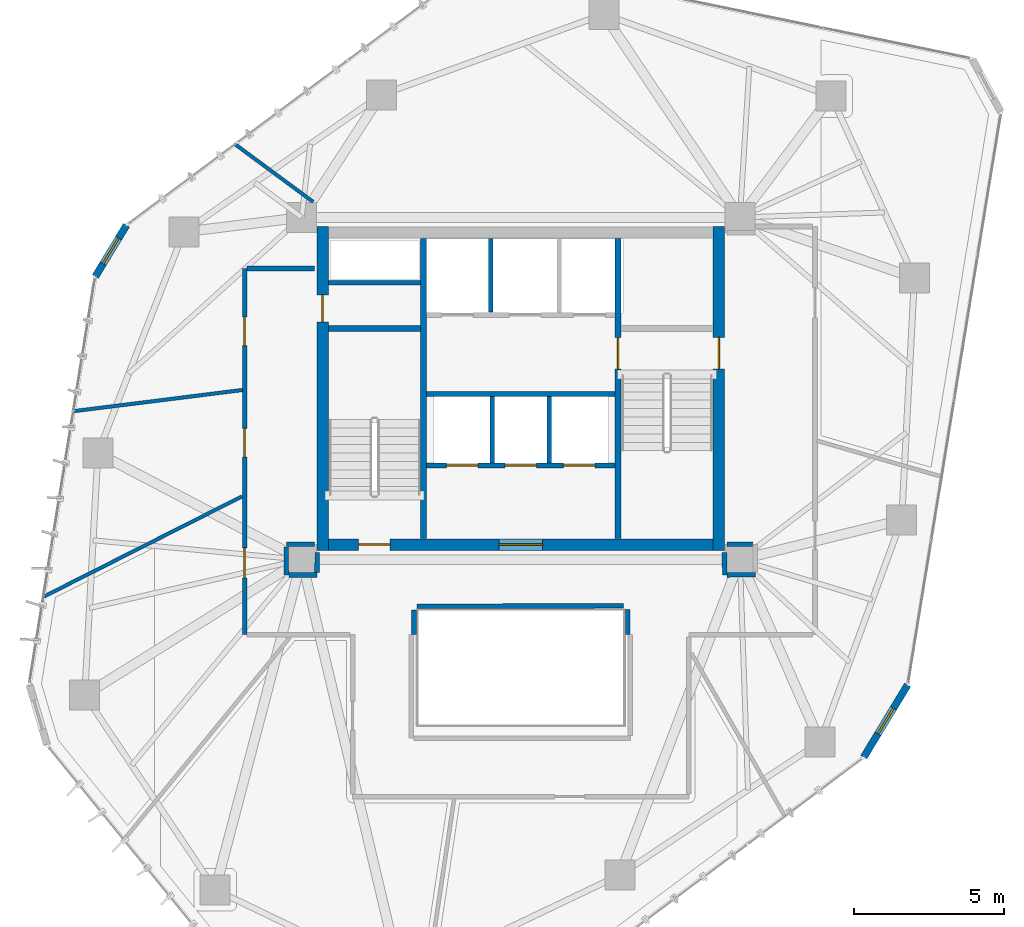
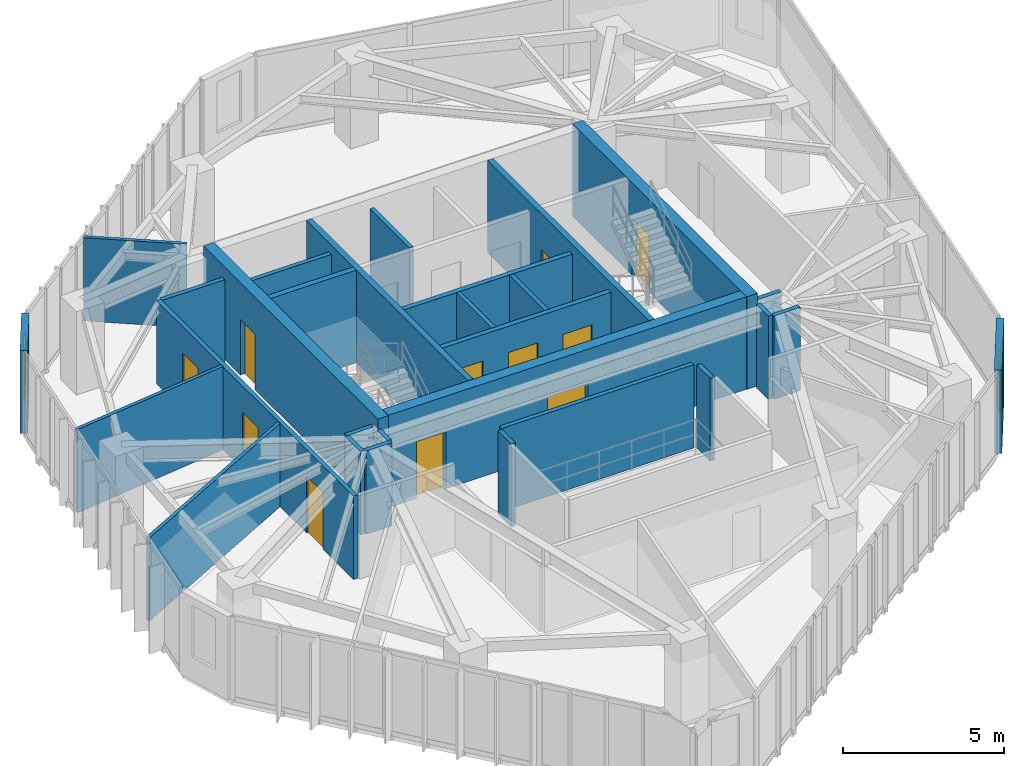
# One storey, part 17 of 20: 29 walls, 11 doors, 2 windows, 13 openings.
"""IFC4 building model written with IfcOpenShell, lengths in metres."""

from ifc_helpers import new_model, si_unit, direction, frame, frame_2d, origin, place, context, subcontext, project, spatial, rectangle, extrude, source, transform, mapped, material, layer, layer_set, type_object, type_shapes, element, fill, save


model = new_model("IFC4")

# Units and contexts
model_context = context("Model", 3, precision=1e-05, world=origin(), true_north=direction((0.0, 1.0)))
body_context = subcontext(model_context, "Body", "Model", "MODEL_VIEW")
ifc_project = project(units=[si_unit("LENGTHUNIT", "METRE"), si_unit("AREAUNIT", "SQUARE_METRE"), si_unit("VOLUMEUNIT", "CUBIC_METRE"), si_unit("PLANEANGLEUNIT", "RADIAN"), si_unit("MASSUNIT", "GRAM", prefix="KILO")], contexts=[model_context])

# Site, building, storey
site_placement = place(None, origin())
site = spatial("IfcSite", under=ifc_project, at=site_placement, CompositionType="ELEMENT")
building_placement = place(site_placement, origin())
building = spatial("IfcBuilding", under=site, at=building_placement, Name="Talar Marvaseh", CompositionType="ELEMENT")
storey_placement = place(building_placement, frame((0.0, 0.0, 198.5)))
storey = spatial("IfcBuildingStorey", under=building, at=storey_placement, Name="L52", CompositionType="ELEMENT", Elevation=198.5)

# Wall, opening, window
ifc_material_1 = material(Name="Precast concrete C45/55", Category="concrete")
ifc_layer_1 = layer(ifc_material_1, 0.239990234375)
ifc_layer_set_1 = layer_set([ifc_layer_1], Name="Precast concrete C45/55")
wall_type_1 = type_object("IfcWallType", Name="Chamfered Hexagonal Corner Pier Wall Z3 240", PredefinedType="SOLIDWALL", material=ifc_layer_set_1)
wall_1_placement = place(storey_placement, frame((11.822998046875, 34.93115234375, 0.0), z_axis=(0.0, 0.0, 1.0), x_axis=(0.518790493294, 0.8549014119, 0.0)))
wall_1 = element("IfcWall", 1, at=wall_1_placement, inside=storey, type_object=wall_type_1, Name="L52 Chamfered Corner Limestone Pier 3", PredefinedType="SOLIDWALL", context=body_context, shape_type="SweptSolid", body=[
    extrude(rectangle(XDim=2.00341796875, YDim=0.239990234375, at=frame_2d((1.001708984375, 0.0))), origin(), (0.0, 0.0, 1.0), 3.14990234375),
])
opening_1_placement = place(wall_1_placement, frame((0.501953125, 0.0, 0.89990234375)))
opening_1 = element("IfcOpeningElement", 2, at=opening_1_placement, cuts=wall_1, Name="Opening WN-CHM10", PredefinedType="OPENING", context=body_context, shape_type="SweptSolid", body=[
    extrude(rectangle(XDim=1.0, YDim=1.949951171875, at=frame_2d((0.5, 0.97509765625))), frame((0.0, 0.1298828125, 0.0), z_axis=(0.0, -1.0, 0.0), x_axis=(1.0, 0.0, 0.0)), (0.0, 0.0, 1.0), 0.260009765625),
])
ifc_material_2 = material(Name="Laminated Low-E Solar Glass", Category="glass")
window_type = type_object("IfcWindowType", Name="Zone 3 Chamfered Corner Slot Window 1000x1950", PartitioningType="SINGLE_PANEL", PredefinedType="WINDOW", material=ifc_material_2)
shared_shape_1 = source(origin(), body_context, "Body", "SweptSolid", [
    extrude(rectangle(XDim=1.0, YDim=1.949951171875, at=frame_2d((0.5, 0.97509765625))), frame((0.0, 0.030029296875, 0.0), z_axis=(0.0, -1.0, 0.0), x_axis=(1.0, 0.0, 0.0)), (0.0, 0.0, 1.0), 0.06005859375),
])
type_shapes(window_type, [shared_shape_1])
window_1_placement = place(opening_1_placement, origin())
window_1 = element("IfcWindow", 3, at=window_1_placement, inside=storey, type_object=window_type, Name="L52 Chamfered Corner Slot Window", OverallHeight=1.949951171875, OverallWidth=1.0, PartitioningType="SINGLE_PANEL", PredefinedType="WINDOW", context=body_context, shape_type="MappedRepresentation", body=[
    mapped(shared_shape_1, transform((0.0, 0.0, 0.0), x_axis=(1.0, 0.0, 0.0), y_axis=(0.0, 1.0, 0.0), z_axis=(0.0, 0.0, 1.0), scale=1.0)),
])
fill(opening_1, window_1)

wall_2_placement = place(storey_placement, frame((38.887451171875, 21.326171875, 0.0), z_axis=(0.0, 0.0, 1.0), x_axis=(-0.518774446732, -0.854911149429, 0.0)))
wall_2 = element("IfcWall", 4, at=wall_2_placement, inside=storey, type_object=wall_type_1, Name="L52 Chamfered Corner Limestone Pier 6", PredefinedType="SOLIDWALL", context=body_context, shape_type="SweptSolid", body=[
    extrude(rectangle(XDim=2.815185546875, YDim=0.239990234375, at=frame_2d((1.40771484375, 0.0))), origin(), (0.0, 0.0, 1.0), 3.14990234375),
])
opening_2_placement = place(wall_2_placement, frame((0.907958984375, 0.0, 0.89990234375)))
opening_2 = element("IfcOpeningElement", 5, at=opening_2_placement, cuts=wall_2, Name="Opening WN-CHM10", PredefinedType="OPENING", context=body_context, shape_type="SweptSolid", body=[
    extrude(rectangle(XDim=1.0, YDim=1.949951171875, at=frame_2d((0.5, 0.97509765625))), frame((0.0, 0.1298828125, 0.0), z_axis=(0.0, -1.0, 0.0), x_axis=(1.0, 0.0, 0.0)), (0.0, 0.0, 1.0), 0.260009765625),
])
window_2_placement = place(opening_2_placement, origin())
window_2 = element("IfcWindow", 6, at=window_2_placement, inside=storey, type_object=window_type, Name="L52 Chamfered Corner Slot Window", OverallHeight=1.949951171875, OverallWidth=1.0, PartitioningType="SINGLE_PANEL", PredefinedType="WINDOW", context=body_context, shape_type="MappedRepresentation", body=[
    mapped(shared_shape_1, transform((0.0, 0.0, 0.0), x_axis=(1.0, 0.0, 0.0), y_axis=(0.0, 1.0, 0.0), z_axis=(0.0, 0.0, 1.0), scale=1.0)),
])
fill(opening_2, window_2)

# Wall
ifc_material_3 = material(Name="Gypsum Board Partition Assembly")
ifc_layer_2 = layer(ifc_material_3, 0.155029296875)
ifc_layer_set_2 = layer_set([ifc_layer_2], Name="Gypsum Board Partition Assembly")
wall_type_2 = type_object("IfcWallType", Name="Corridor Fire-Rated Acoustic Partition 155", PredefinedType="PARTITIONING", material=ifc_layer_set_2)
wall_3_placement = place(storey_placement, frame((19.60009765625, 34.72998046875, 0.0), z_axis=(0.0, 0.0, 1.0), x_axis=(1.0, 0.0, 0.0)))
element("IfcWall", 7, at=wall_3_placement, inside=storey, type_object=wall_type_2, Name="L52 Core BOH Partition", PredefinedType="PARTITIONING", context=body_context, shape_type="SweptSolid", body=[
    extrude(rectangle(XDim=3.059814453125, YDim=0.155029296875, at=frame_2d((1.52978515625, 0.0))), origin(), (0.0, 0.0, 1.0), 3.14990234375),
])

# Wall, openings, doors
wall_4_placement = place(storey_placement, frame((16.800048828125, 23.0, 0.0), z_axis=(0.0, 0.0, 1.0), x_axis=(0.0, 1.0, 0.0)))
wall_4 = element("IfcWall", 8, at=wall_4_placement, inside=storey, type_object=wall_type_2, Name="L52 Interior Partition Wall", PredefinedType="PARTITIONING", context=body_context, shape_type="SweptSolid", body=[
    extrude(rectangle(XDim=12.199951171875, YDim=0.155029296875, at=frame_2d((6.10009765625, 0.0))), origin(), (0.0, 0.0, 1.0), 3.14990234375),
])
opening_3_placement = place(wall_4_placement, frame((1.8955078125, 0.0, 0.0)))
opening_3 = element("IfcOpeningElement", 9, at=opening_3_placement, cuts=wall_4, Name="Opening DR-RM100", PredefinedType="OPENING", context=body_context, shape_type="SweptSolid", body=[
    extrude(rectangle(XDim=1.0, YDim=2.14990234375, at=frame_2d((0.5, 1.074951171875))), frame((0.0, 0.08740234375, 0.0), z_axis=(0.0, -1.0, 0.0), x_axis=(1.0, 0.0, 0.0)), (0.0, 0.0, 1.0), 0.175048828125),
])
opening_4_placement = place(wall_4_placement, frame((9.632080078125, 0.0, 0.0)))
opening_4 = element("IfcOpeningElement", 10, at=opening_4_placement, cuts=wall_4, Name="Opening DR-WC095", PredefinedType="OPENING", context=body_context, shape_type="SweptSolid", body=[
    extrude(rectangle(XDim=0.949951171875, YDim=2.14990234375, at=frame_2d((0.47509765625, 1.074951171875))), frame((0.0, 0.08740234375, 0.0), z_axis=(0.0, -1.0, 0.0), x_axis=(1.0, 0.0, 0.0)), (0.0, 0.0, 1.0), 0.175048828125),
])
opening_5_placement = place(wall_4_placement, frame((5.919921875, 0.0, 0.0)))
opening_5 = element("IfcOpeningElement", 11, at=opening_5_placement, cuts=wall_4, Name="Opening DR-WC095", PredefinedType="OPENING", context=body_context, shape_type="SweptSolid", body=[
    extrude(rectangle(XDim=0.949951171875, YDim=2.14990234375, at=frame_2d((0.47509765625, 1.074951171875))), frame((0.0, 0.08740234375, 0.0), z_axis=(0.0, -1.0, 0.0), x_axis=(1.0, 0.0, 0.0)), (0.0, 0.0, 1.0), 0.175048828125),
])
ifc_material_4 = material(Name="Acoustic Engineered Oak Timber", Category="wood")
door_type_1 = type_object("IfcDoorType", Name="Washroom and Service Room Door 950x2150", OperationType="NOTDEFINED", PredefinedType="DOOR", material=ifc_material_4)
shared_shape_2 = source(origin(), body_context, "Body", "SweptSolid", [
    extrude(rectangle(XDim=0.949951171875, YDim=2.14990234375, at=frame_2d((0.47509765625, 1.074951171875))), frame((0.0, 0.02490234375, 0.0), z_axis=(0.0, -1.0, 0.0), x_axis=(1.0, 0.0, 0.0)), (0.0, 0.0, 1.0), 0.050048828125),
])
type_shapes(door_type_1, [shared_shape_2])
door_1_placement = place(opening_4_placement, origin())
door_1 = element("IfcDoor", 12, at=door_1_placement, inside=storey, type_object=door_type_1, Name="L52 Accessible WC Block Door", OperationType="SINGLE_SWING_RIGHT", OverallHeight=2.14990234375, OverallWidth=0.949951171875, PredefinedType="DOOR", context=body_context, shape_type="MappedRepresentation", body=[
    mapped(shared_shape_2, transform((0.0, 0.0, 0.0), x_axis=(1.0, 0.0, 0.0), y_axis=(0.0, 1.0, 0.0), z_axis=(0.0, 0.0, 1.0), scale=1.0)),
])
fill(opening_4, door_1)
door_2_placement = place(opening_5_placement, origin())
door_2 = element("IfcDoor", 13, at=door_2_placement, inside=storey, type_object=door_type_1, Name="L52 WC Public Washrooms Door", OperationType="SINGLE_SWING_LEFT", OverallHeight=2.14990234375, OverallWidth=0.949951171875, PredefinedType="DOOR", context=body_context, shape_type="MappedRepresentation", body=[
    mapped(shared_shape_2, transform((0.0, 0.0, 0.0), x_axis=(1.0, 0.0, 0.0), y_axis=(0.0, 1.0, 0.0), z_axis=(0.0, 0.0, 1.0), scale=1.0)),
])
fill(opening_5, door_2)
door_type_2 = type_object("IfcDoorType", Name="Corridor Fire-Rated Gallery Door 1000x2150", OperationType="NOTDEFINED", PredefinedType="DOOR", material=ifc_material_4)
shared_shape_3 = source(origin(), body_context, "Body", "SweptSolid", [
    extrude(rectangle(XDim=1.0, YDim=2.14990234375, at=frame_2d((0.5, 1.074951171875))), frame((0.0, 0.02490234375, 0.0), z_axis=(0.0, -1.0, 0.0), x_axis=(1.0, 0.0, 0.0)), (0.0, 0.0, 1.0), 0.050048828125),
])
type_shapes(door_type_2, [shared_shape_3])
door_3_placement = place(opening_3_placement, origin())
door_3 = element("IfcDoor", 14, at=door_3_placement, inside=storey, type_object=door_type_2, Name="L52 Seminar Room Door", OperationType="SINGLE_SWING_LEFT", OverallHeight=2.14990234375, OverallWidth=1.0, PredefinedType="DOOR", context=body_context, shape_type="MappedRepresentation", body=[
    mapped(shared_shape_3, transform((0.0, 0.0, 0.0), x_axis=(1.0, 0.0, 0.0), y_axis=(0.0, 1.0, 0.0), z_axis=(0.0, 0.0, 1.0), scale=1.0)),
])
fill(opening_3, door_3)

# Walls
wall_5_placement = place(storey_placement, frame((16.883544921875, 35.199951171875, 0.0), z_axis=(0.0, 0.0, 1.0), x_axis=(1.0, 0.0, 0.0)))
element("IfcWall", 15, at=wall_5_placement, inside=storey, type_object=wall_type_2, Name="L52 Interior Partition Wall", PredefinedType="PARTITIONING", context=body_context, shape_type="SweptSolid", body=[
    extrude(rectangle(XDim=2.246337890625, YDim=0.155029296875, at=frame_2d((1.123046875, 0.0))), origin(), (0.0, 0.0, 1.0), 3.14990234375),
])
wall_6_placement = place(storey_placement, frame((19.1298828125, 26.0146484375, 0.0), z_axis=(0.0, 0.0, 1.0), x_axis=(-0.99999026157, -0.004413248818, 0.0)))
element("IfcWall", 16, at=wall_6_placement, inside=storey, type_object=wall_type_2, Name="L52 Interior Partition Wall", PredefinedType="PARTITIONING", context=body_context, shape_type="SweptSolid", body=[
    extrude(rectangle(XDim=0.9404296875, YDim=0.155029296875, at=frame_2d((0.47021484375, 0.0))), origin(), (0.0, 0.0, 1.0), 3.14990234375),
])
wall_7_placement = place(storey_placement, frame((18.189697265625, 25.927001953125, 0.0), z_axis=(0.0, 0.0, 1.0), x_axis=(0.002078997586, -0.999997838882, 0.0)))
element("IfcWall", 17, at=wall_7_placement, inside=storey, type_object=wall_type_2, Name="L52 Interior Partition Wall", PredefinedType="PARTITIONING", context=body_context, shape_type="SweptSolid", body=[
    extrude(rectangle(XDim=0.939453125, YDim=0.155029296875, at=frame_2d((0.4697265625, 0.0))), origin(), (0.0, 0.0, 1.0), 3.14990234375),
])
wall_8_placement = place(storey_placement, frame((18.275146484375, 24.987548828125, 0.0), z_axis=(0.0, 0.0, 1.0), x_axis=(0.999999692748, 0.0007839036, 0.0)))
element("IfcWall", 18, at=wall_8_placement, inside=storey, type_object=wall_type_2, Name="L52 Interior Partition Wall", PredefinedType="PARTITIONING", context=body_context, shape_type="SweptSolid", body=[
    extrude(rectangle(XDim=0.934326171875, YDim=0.155029296875, at=frame_2d((0.46728515625, 0.0))), origin(), (0.0, 0.0, 1.0), 3.14990234375),
])
wall_9_placement = place(storey_placement, frame((19.210205078125, 25.072021484375, 0.0), z_axis=(0.0, 0.0, 1.0), x_axis=(0.007420945932, 0.999972464402, 0.0)))
element("IfcWall", 19, at=wall_9_placement, inside=storey, type_object=wall_type_2, Name="L52 Interior Partition Wall", PredefinedType="PARTITIONING", context=body_context, shape_type="SweptSolid", body=[
    extrude(rectangle(XDim=0.657958984375, YDim=0.155029296875, at=frame_2d((0.3291015625, 0.0))), origin(), (0.0, 0.0, 1.0), 3.14990234375),
])
wall_10_placement = place(storey_placement, frame((32.784912109375, 25.72998046875, 0.0), z_axis=(0.0, 0.0, 1.0), x_axis=(0.007570553288, -0.999971342951, 0.0)))
element("IfcWall", 20, at=wall_10_placement, inside=storey, type_object=wall_type_2, Name="L52 Interior Partition Wall", PredefinedType="PARTITIONING", context=body_context, shape_type="SweptSolid", body=[
    extrude(rectangle(XDim=0.74169921875, YDim=0.155029296875, at=frame_2d((0.370849609375, 0.0))), origin(), (0.0, 0.0, 1.0), 3.14990234375),
])
wall_11_placement = place(storey_placement, frame((32.8740234375, 24.9892578125, 0.0), z_axis=(0.0, 0.0, 1.0), x_axis=(0.999934835738, 0.01141596595, 0.0)))
element("IfcWall", 21, at=wall_11_placement, inside=storey, type_object=wall_type_2, Name="L52 Interior Partition Wall", PredefinedType="PARTITIONING", context=body_context, shape_type="SweptSolid", body=[
    extrude(rectangle(XDim=0.94091796875, YDim=0.155029296875, at=frame_2d((0.470458984375, 0.0))), origin(), (0.0, 0.0, 1.0), 3.14990234375),
])
wall_12_placement = place(storey_placement, frame((33.72705078125, 26.010986328125, 0.0), z_axis=(0.0, 0.0, 1.0), x_axis=(-0.999990868706, 0.004273465251, 0.0)))
element("IfcWall", 22, at=wall_12_placement, inside=storey, type_object=wall_type_2, Name="L52 Interior Partition Wall", PredefinedType="PARTITIONING", context=body_context, shape_type="SweptSolid", body=[
    extrude(rectangle(XDim=0.85693359375, YDim=0.155029296875, at=frame_2d((0.428466796875, 0.0))), origin(), (0.0, 0.0, 1.0), 3.14990234375),
])
wall_13_placement = place(storey_placement, frame((29.415771484375, 23.959228515625, 0.0), z_axis=(0.0, 0.0, 1.0), x_axis=(-0.999998607957, -0.001668557745, 0.0)))
element("IfcWall", 23, at=wall_13_placement, inside=storey, type_object=wall_type_2, Name="L52 Interior Partition Wall", PredefinedType="PARTITIONING", context=body_context, shape_type="SweptSolid", body=[
    extrude(rectangle(XDim=6.876953125, YDim=0.155029296875, at=frame_2d((3.4384765625, 0.0))), origin(), (0.0, 0.0, 1.0), 3.14990234375),
])
wall_14_placement = place(storey_placement, frame((22.44091796875, 23.815673828125, 0.0), z_axis=(0.0, 0.0, 1.0), x_axis=(-0.001197245475, -0.999999283301, 0.0)))
element("IfcWall", 24, at=wall_14_placement, inside=storey, type_object=wall_type_2, Name="L52 Interior Partition Wall", PredefinedType="PARTITIONING", context=body_context, shape_type="SweptSolid", body=[
    extrude(rectangle(XDim=0.815673828125, YDim=0.155029296875, at=frame_2d((0.40771484375, 0.0))), origin(), (0.0, 0.0, 1.0), 3.14990234375),
])
wall_15_placement = place(storey_placement, frame((29.56005859375, 23.0, 0.0), z_axis=(0.0, 0.0, 1.0), x_axis=(-0.003817887006, 0.999992711843, 0.0)))
element("IfcWall", 25, at=wall_15_placement, inside=storey, type_object=wall_type_2, Name="L52 Interior Partition Wall", PredefinedType="PARTITIONING", context=body_context, shape_type="SweptSolid", body=[
    extrude(rectangle(XDim=0.831298828125, YDim=0.155029296875, at=frame_2d((0.41552734375, 0.0))), origin(), (0.0, 0.0, 1.0), 3.14990234375),
])
ifc_layer_3 = layer(ifc_material_3, 0.1201171875)
ifc_layer_set_3 = layer_set([ifc_layer_3], Name="Gypsum Board Partition Assembly")
wall_type_3 = type_object("IfcWallType", Name="Demountable Studio Room Partition 120", PredefinedType="PARTITIONING", material=ifc_layer_set_3)
wall_16_placement = place(storey_placement, frame((10.1162109375, 24.27197265625, 0.0), z_axis=(0.0, 0.0, 1.0), x_axis=(0.892484309029, 0.451078439008, 0.0)))
element("IfcWall", 26, at=wall_16_placement, inside=storey, type_object=wall_type_3, Name="L52 Interior Partition Wall", PredefinedType="PARTITIONING", context=body_context, shape_type="SweptSolid", body=[
    extrude(rectangle(XDim=7.3955078125, YDim=0.1201171875, at=frame_2d((3.69775390625, 0.0))), origin(), (0.0, 0.0, 1.0), 3.14990234375),
])
wall_17_placement = place(storey_placement, frame((19.080078125, 37.419921875, 0.0), z_axis=(0.0, 0.0, 1.0), x_axis=(-0.8047193667, 0.593655405819, 0.0)))
element("IfcWall", 27, at=wall_17_placement, inside=storey, type_object=wall_type_3, Name="L52 Interior Partition Wall", PredefinedType="PARTITIONING", context=body_context, shape_type="SweptSolid", body=[
    extrude(rectangle(XDim=3.2109375, YDim=0.1201171875, at=frame_2d((1.60546875, 0.0))), origin(), (0.0, 0.0, 1.0), 3.14990234375),
])
wall_18_placement = place(storey_placement, frame((16.735595703125, 31.15185546875, 0.0), z_axis=(0.0, 0.0, 1.0), x_axis=(-0.992225376659, -0.124454015257, 0.0)))
element("IfcWall", 28, at=wall_18_placement, inside=storey, type_object=wall_type_3, Name="L52 Interior Partition Wall", PredefinedType="PARTITIONING", context=body_context, shape_type="SweptSolid", body=[
    extrude(rectangle(XDim=5.661376953125, YDim=0.1201171875, at=frame_2d((2.83056640625, 0.0))), origin(), (0.0, 0.0, 1.0), 3.14990234375),
])
ifc_layer_4 = layer(ifc_material_1, 0.14501953125)
ifc_layer_set_4 = layer_set([ifc_layer_4], Name="Precast concrete C45/55")
wall_type_4 = type_object("IfcWallType", Name="Fire-Rated Lift Divider Wall 145", PredefinedType="SOLIDWALL", material=ifc_layer_set_4)
wall_19_placement = place(storey_placement, frame((25.0, 33.743408203125, 0.0), z_axis=(0.0, 0.0, 1.0), x_axis=(0.0, 1.0, 0.0)))
element("IfcWall", 29, at=wall_19_placement, inside=storey, type_object=wall_type_4, Name="L52 FFL-1/FFL-2 Divider", PredefinedType="SOLIDWALL", context=body_context, shape_type="SweptSolid", body=[
    extrude(rectangle(XDim=2.45654296875, YDim=0.14501953125, at=frame_2d((1.228271484375, 0.0))), origin(), (0.0, 0.0, 1.0), 3.14990234375),
])
for number, where, z_axis, x_axis, name in (
    (30, (25.050048828125, 28.719970703125, 0.0), (0.0, 0.0, 1.0), (0.0, 1.0, 0.0), "L52 PL-H1/PL-H2 Divider"),
    (31, (26.949951171875, 28.719970703125, 0.0), (0.0, 0.0, 1.0), (0.0, 1.0, 0.0), "L52 PL-H2/PL-H3 Divider"),
):
    element("IfcWall", number, at=place(storey_placement, frame(where, z_axis=z_axis, x_axis=x_axis)), inside=storey, type_object=wall_type_4, Name=name, PredefinedType="SOLIDWALL", context=body_context, shape_type="SweptSolid", body=[
        extrude(rectangle(XDim=2.20654296875, YDim=0.14501953125, at=frame_2d((1.103271484375, 0.0))), origin(), (0.0, 0.0, 1.0), 3.14990234375),
    ])
ifc_layer_5 = layer(ifc_material_1, 0.175048828125)
ifc_layer_set_5 = layer_set([ifc_layer_5], Name="Precast concrete C45/55")
wall_type_5 = type_object("IfcWallType", Name="Fire-Rated Lift Hoistway Enclosure Wall 175", PredefinedType="SOLIDWALL", material=ifc_layer_set_5)
wall_20_placement = place(storey_placement, frame((22.860107421875, 31.02001953125, 0.0), z_axis=(0.0, 0.0, 1.0), x_axis=(1.0, 0.0, 0.0)))
element("IfcWall", 32, at=wall_20_placement, inside=storey, type_object=wall_type_5, Name="L52 Firefighting Lobby South Smoke Wall", PredefinedType="SOLIDWALL", context=body_context, shape_type="SweptSolid", body=[
    extrude(rectangle(XDim=6.27978515625, YDim=0.175048828125, at=frame_2d((3.139892578125, 0.0))), origin(), (0.0, 0.0, 1.0), 3.14990234375),
])

# Wall, openings, doors
wall_21_placement = place(storey_placement, frame((22.860107421875, 28.639892578125, 0.0), z_axis=(0.0, 0.0, 1.0), x_axis=(1.0, 0.0, 0.0)))
wall_21 = element("IfcWall", 33, at=wall_21_placement, inside=storey, type_object=wall_type_5, Name="L52 High-Rise Lift Bank Front Wall", PredefinedType="SOLIDWALL", context=body_context, shape_type="SweptSolid", body=[
    extrude(rectangle(XDim=6.27978515625, YDim=0.175048828125, at=frame_2d((3.139892578125, 0.0))), origin(), (0.0, 0.0, 1.0), 3.14990234375),
])
opening_6_placement = place(wall_21_placement, frame((0.659912109375, 0.0, 0.0)))
opening_6 = element("IfcOpeningElement", 34, at=opening_6_placement, cuts=wall_21, Name="Opening LD-PLH1", PredefinedType="OPENING", context=body_context, shape_type="SweptSolid", body=[
    extrude(rectangle(XDim=1.050048828125, YDim=2.14990234375, at=frame_2d((0.52490234375, 1.074951171875))), frame((0.0, 0.09765625, 0.0), z_axis=(0.0, -1.0, 0.0), x_axis=(1.0, 0.0, 0.0)), (0.0, 0.0, 1.0), 0.195068359375),
])
opening_7_placement = place(wall_21_placement, frame((2.6201171875, 0.0, 0.0)))
opening_7 = element("IfcOpeningElement", 35, at=opening_7_placement, cuts=wall_21, Name="Opening LD-PLH2", PredefinedType="OPENING", context=body_context, shape_type="SweptSolid", body=[
    extrude(rectangle(XDim=1.050048828125, YDim=2.14990234375, at=frame_2d((0.52490234375, 1.074951171875))), frame((0.0, 0.09765625, 0.0), z_axis=(0.0, -1.0, 0.0), x_axis=(1.0, 0.0, 0.0)), (0.0, 0.0, 1.0), 0.195068359375),
])
opening_8_placement = place(wall_21_placement, frame((4.56005859375, 0.0, 0.0)))
opening_8 = element("IfcOpeningElement", 36, at=opening_8_placement, cuts=wall_21, Name="Opening LD-PLH3", PredefinedType="OPENING", context=body_context, shape_type="SweptSolid", body=[
    extrude(rectangle(XDim=1.050048828125, YDim=2.14990234375, at=frame_2d((0.52490234375, 1.074951171875))), frame((0.0, 0.09765625, 0.0), z_axis=(0.0, -1.0, 0.0), x_axis=(1.0, 0.0, 0.0)), (0.0, 0.0, 1.0), 0.195068359375),
])
ifc_material_5 = material(Name="Stainless Steel Grade 316", Category="steel")
door_type_3 = type_object("IfcDoorType", Name="Automatic Sliding Lift Landing Door 1050x2150", OperationType="NOTDEFINED", PredefinedType="DOOR", material=ifc_material_5)
shared_shape_4 = source(origin(), body_context, "Body", "SweptSolid", [
    extrude(rectangle(XDim=1.050048828125, YDim=2.14990234375, at=frame_2d((0.52490234375, 1.074951171875))), frame((0.0, 0.02490234375, 0.0), z_axis=(0.0, -1.0, 0.0), x_axis=(1.0, 0.0, 0.0)), (0.0, 0.0, 1.0), 0.050048828125),
])
type_shapes(door_type_3, [shared_shape_4])
door_4_placement = place(opening_6_placement, origin())
door_4 = element("IfcDoor", 37, at=door_4_placement, inside=storey, type_object=door_type_3, Name="L52 Lift PL-H1 Sliding Landing Door", OperationType="SLIDING_TO_LEFT", OverallHeight=2.14990234375, OverallWidth=1.050048828125, PredefinedType="DOOR", context=body_context, shape_type="MappedRepresentation", body=[
    mapped(shared_shape_4, transform((0.0, 0.0, 0.0), x_axis=(1.0, 0.0, 0.0), y_axis=(0.0, 1.0, 0.0), z_axis=(0.0, 0.0, 1.0), scale=1.0)),
])
fill(opening_6, door_4)
door_5_placement = place(opening_7_placement, origin())
door_5 = element("IfcDoor", 38, at=door_5_placement, inside=storey, type_object=door_type_3, Name="L52 Lift PL-H2 Sliding Landing Door", OperationType="SLIDING_TO_LEFT", OverallHeight=2.14990234375, OverallWidth=1.050048828125, PredefinedType="DOOR", context=body_context, shape_type="MappedRepresentation", body=[
    mapped(shared_shape_4, transform((0.0, 0.0, 0.0), x_axis=(1.0, 0.0, 0.0), y_axis=(0.0, 1.0, 0.0), z_axis=(0.0, 0.0, 1.0), scale=1.0)),
])
fill(opening_7, door_5)
door_6_placement = place(opening_8_placement, origin())
door_6 = element("IfcDoor", 39, at=door_6_placement, inside=storey, type_object=door_type_3, Name="L52 Lift PL-H3 Sliding Landing Door", OperationType="SLIDING_TO_LEFT", OverallHeight=2.14990234375, OverallWidth=1.050048828125, PredefinedType="DOOR", context=body_context, shape_type="MappedRepresentation", body=[
    mapped(shared_shape_4, transform((0.0, 0.0, 0.0), x_axis=(1.0, 0.0, 0.0), y_axis=(0.0, 1.0, 0.0), z_axis=(0.0, 0.0, 1.0), scale=1.0)),
])
fill(opening_8, door_6)

# Wall, opening, door
ifc_material_6 = material(Name="Concrete C60/75", Category="concrete")
ifc_layer_6 = layer(ifc_material_6, 0.3798828125)
ifc_layer_set_6 = layer_set([ifc_layer_6], Name="Concrete C60/75")
wall_type_6 = type_object("IfcWallType", Name="Mid Core Reinforced Concrete Shear Wall 380", PredefinedType="SHEAR", material=ifc_layer_set_6)
wall_22_placement = place(storey_placement, frame((19.39990234375, 25.800048828125, 0.0), z_axis=(0.0, 0.0, 1.0), x_axis=(0.0, 1.0, 0.0)))
wall_22 = element("IfcWall", 40, at=wall_22_placement, inside=storey, type_object=wall_type_6, Name="L52 West Core Shear Wall", PredefinedType="SHEAR", context=body_context, shape_type="SweptSolid", body=[
    extrude(rectangle(XDim=10.800048828125, YDim=0.3798828125, at=frame_2d((5.39990234375, 0.0))), origin(), (0.0, 0.0, 1.0), 3.5),
])
opening_9_placement = place(wall_22_placement, frame((7.6201171875, 0.0, 0.0)))
opening_9 = element("IfcOpeningElement", 41, at=opening_9_placement, cuts=wall_22, Name="Opening DR-BOH090", PredefinedType="OPENING", context=body_context, shape_type="SweptSolid", body=[
    extrude(rectangle(XDim=0.89990234375, YDim=2.10009765625, at=frame_2d((0.449951171875, 1.050048828125))), frame((0.0, 0.199951171875, 0.0), z_axis=(0.0, -1.0, 0.0), x_axis=(1.0, 0.0, 0.0)), (0.0, 0.0, 1.0), 0.39990234375),
])
ifc_material_7 = material(Name="Fire-Rated Steel Door Leaf", Category="steel")
door_type_4 = type_object("IfcDoorType", Name="Core Back-of-House Service Door 900x2100", OperationType="NOTDEFINED", PredefinedType="DOOR", material=ifc_material_7)
shared_shape_5 = source(origin(), body_context, "Body", "SweptSolid", [
    extrude(rectangle(XDim=0.89990234375, YDim=2.10009765625, at=frame_2d((0.449951171875, 1.050048828125))), frame((0.0, 0.02490234375, 0.0), z_axis=(0.0, -1.0, 0.0), x_axis=(1.0, 0.0, 0.0)), (0.0, 0.0, 1.0), 0.050048828125),
])
type_shapes(door_type_4, [shared_shape_5])
door_7_placement = place(opening_9_placement, origin())
door_7 = element("IfcDoor", 42, at=door_7_placement, inside=storey, type_object=door_type_4, Name="L52 Cleaner Core West Closet Door", OperationType="SINGLE_SWING_LEFT", OverallHeight=2.10009765625, OverallWidth=0.89990234375, PredefinedType="DOOR", context=body_context, shape_type="MappedRepresentation", body=[
    mapped(shared_shape_5, transform((0.0, 0.0, 0.0), x_axis=(1.0, 0.0, 0.0), y_axis=(0.0, 1.0, 0.0), z_axis=(0.0, 0.0, 1.0), scale=1.0)),
])
fill(opening_9, door_7)

wall_23_placement = place(storey_placement, frame((32.60009765625, 36.60009765625, 0.0), z_axis=(0.0, 0.0, 1.0), x_axis=(0.0, -1.0, 0.0)))
wall_23 = element("IfcWall", 43, at=wall_23_placement, inside=storey, type_object=wall_type_6, Name="L52 East Core Shear Wall", PredefinedType="SHEAR", context=body_context, shape_type="SweptSolid", body=[
    extrude(rectangle(XDim=10.800048828125, YDim=0.3798828125, at=frame_2d((5.39990234375, 0.0))), origin(), (0.0, 0.0, 1.0), 3.5),
])
opening_10_placement = place(wall_23_placement, frame((3.699951171875, 0.0, 0.0)))
opening_10 = element("IfcOpeningElement", 44, at=opening_10_placement, cuts=wall_23, Name="Opening DR-ST105", PredefinedType="OPENING", context=body_context, shape_type="SweptSolid", body=[
    extrude(rectangle(XDim=1.050048828125, YDim=2.14990234375, at=frame_2d((0.52490234375, 1.074951171875))), frame((0.0, 0.199951171875, 0.0), z_axis=(0.0, -1.0, 0.0), x_axis=(1.0, 0.0, 0.0)), (0.0, 0.0, 1.0), 0.39990234375),
])
door_type_5 = type_object("IfcDoorType", Name="Protected Exit Stair Fire Door 1050x2150", OperationType="NOTDEFINED", PredefinedType="DOOR", material=ifc_material_7)
shared_shape_6 = source(origin(), body_context, "Body", "SweptSolid", [
    extrude(rectangle(XDim=1.050048828125, YDim=2.14990234375, at=frame_2d((0.52490234375, 1.074951171875))), frame((0.0, 0.02490234375, 0.0), z_axis=(0.0, -1.0, 0.0), x_axis=(1.0, 0.0, 0.0)), (0.0, 0.0, 1.0), 0.050048828125),
])
type_shapes(door_type_5, [shared_shape_6])
door_8_placement = place(opening_10_placement, origin())
door_8 = element("IfcDoor", 45, at=door_8_placement, inside=storey, type_object=door_type_5, Name="L52 Stair ST-2 Corridor Exit Door", OperationType="SINGLE_SWING_LEFT", OverallHeight=2.14990234375, OverallWidth=1.050048828125, PredefinedType="DOOR", context=body_context, shape_type="MappedRepresentation", body=[
    mapped(shared_shape_6, transform((0.0, 0.0, 0.0), x_axis=(1.0, 0.0, 0.0), y_axis=(0.0, 1.0, 0.0), z_axis=(0.0, 0.0, 1.0), scale=1.0)),
])
fill(opening_10, door_8)

# Wall, openings, doors
wall_24_placement = place(storey_placement, frame((32.39990234375, 26.0, 0.0), z_axis=(0.0, 0.0, 1.0), x_axis=(-1.0, 0.0, 0.0)))
wall_24 = element("IfcWall", 46, at=wall_24_placement, inside=storey, type_object=wall_type_6, Name="L52 South Core Shear Wall", PredefinedType="SHEAR", context=body_context, shape_type="SweptSolid", body=[
    extrude(rectangle(XDim=12.7998046875, YDim=0.3798828125, at=frame_2d((6.39990234375, 0.0))), origin(), (0.0, 0.0, 1.0), 3.5),
])
opening_11_placement = place(wall_24_placement, frame((10.75, 0.0, 0.0)))
opening_11 = element("IfcOpeningElement", 47, at=opening_11_placement, cuts=wall_24, Name="Opening DR-ST105", PredefinedType="OPENING", context=body_context, shape_type="SweptSolid", body=[
    extrude(rectangle(XDim=1.050048828125, YDim=2.14990234375, at=frame_2d((0.52490234375, 1.074951171875))), frame((0.0, 0.199951171875, 0.0), z_axis=(0.0, -1.0, 0.0), x_axis=(1.0, 0.0, 0.0)), (0.0, 0.0, 1.0), 0.39990234375),
])
opening_12_placement = place(wall_24_placement, frame((5.669921875, 0.0, 0.0)))
opening_12 = element("IfcOpeningElement", 48, at=opening_12_placement, cuts=wall_24, Name="Opening DR-LBY145", PredefinedType="OPENING", context=body_context, shape_type="SweptSolid", body=[
    extrude(rectangle(XDim=1.449951171875, YDim=2.199951171875, at=frame_2d((0.72509765625, 1.10009765625))), frame((0.0, 0.199951171875, 0.0), z_axis=(0.0, -1.0, 0.0), x_axis=(1.0, 0.0, 0.0)), (0.0, 0.0, 1.0), 0.39990234375),
])
door_9_placement = place(opening_11_placement, origin())
door_9 = element("IfcDoor", 49, at=door_9_placement, inside=storey, type_object=door_type_5, Name="L52 Stair ST-1 Exit Door", OperationType="SINGLE_SWING_RIGHT", OverallHeight=2.14990234375, OverallWidth=1.050048828125, PredefinedType="DOOR", context=body_context, shape_type="MappedRepresentation", body=[
    mapped(shared_shape_6, transform((0.0, 0.0, 0.0), x_axis=(1.0, 0.0, 0.0), y_axis=(0.0, 1.0, 0.0), z_axis=(0.0, 0.0, 1.0), scale=1.0)),
])
fill(opening_11, door_9)
door_type_6 = type_object("IfcDoorType", Name="Core Lift Lobby Double Smoke Door 1450x2200", OperationType="NOTDEFINED", PredefinedType="DOOR", material=ifc_material_7)
shared_shape_7 = source(origin(), body_context, "Body", "SweptSolid", [
    extrude(rectangle(XDim=1.449951171875, YDim=2.199951171875, at=frame_2d((0.72509765625, 1.10009765625))), frame((0.0, 0.02490234375, 0.0), z_axis=(0.0, -1.0, 0.0), x_axis=(1.0, 0.0, 0.0)), (0.0, 0.0, 1.0), 0.050048828125),
])
type_shapes(door_type_6, [shared_shape_7])
door_10_placement = place(opening_12_placement, origin())
door_10 = element("IfcDoor", 50, at=door_10_placement, inside=storey, type_object=door_type_6, Name="L52 Passenger Lift Lobby Entrance Door", OperationType="DOUBLE_DOOR_SINGLE_SWING", OverallHeight=2.199951171875, OverallWidth=1.449951171875, PredefinedType="DOOR", context=body_context, shape_type="MappedRepresentation", body=[
    mapped(shared_shape_7, transform((0.0, 0.0, 0.0), x_axis=(1.0, 0.0, 0.0), y_axis=(0.0, 1.0, 0.0), z_axis=(0.0, 0.0, 1.0), scale=1.0)),
])
fill(opening_12, door_10)

# Wall
ifc_material_8 = material(Name="Concrete C50/60", Category="concrete")
ifc_layer_7 = layer(ifc_material_8, 0.199951171875)
ifc_layer_set_7 = layer_set([ifc_layer_7], Name="Concrete C50/60")
wall_type_7 = type_object("IfcWallType", Name="Stair Shaft Structural Concrete Shear Wall 200", PredefinedType="SHEAR", material=ifc_layer_set_7)
wall_25_placement = place(storey_placement, frame((22.760009765625, 26.199951171875, 0.0), z_axis=(0.0, 0.0, 1.0), x_axis=(0.0, 1.0, 0.0)))
element("IfcWall", 51, at=wall_25_placement, inside=storey, type_object=wall_type_7, Name="L52 Core West Stair Shear Wall", PredefinedType="SHEAR", context=body_context, shape_type="SweptSolid", body=[
    extrude(rectangle(XDim=10.0, YDim=0.199951171875, at=frame_2d((5.0, 0.0))), origin(), (0.0, 0.0, 1.0), 3.5),
])

# Wall, opening, door
wall_26_placement = place(storey_placement, frame((29.239990234375, 26.199951171875, 0.0), z_axis=(0.0, 0.0, 1.0), x_axis=(0.0, 1.0, 0.0)))
wall_26 = element("IfcWall", 52, at=wall_26_placement, inside=storey, type_object=wall_type_7, Name="L52 Core East Stair Shear Wall", PredefinedType="SHEAR", context=body_context, shape_type="SweptSolid", body=[
    extrude(rectangle(XDim=10.0, YDim=0.199951171875, at=frame_2d((5.0, 0.0))), origin(), (0.0, 0.0, 1.0), 3.5),
])
opening_13_placement = place(wall_26_placement, frame((5.64990234375, 0.0, 0.0)))
opening_13 = element("IfcOpeningElement", 53, at=opening_13_placement, cuts=wall_26, Name="Opening DR-ST105", PredefinedType="OPENING", context=body_context, shape_type="SweptSolid", body=[
    extrude(rectangle(XDim=1.050048828125, YDim=2.14990234375, at=frame_2d((0.52490234375, 1.074951171875))), frame((0.0, 0.10986328125, 0.0), z_axis=(0.0, -1.0, 0.0), x_axis=(1.0, 0.0, 0.0)), (0.0, 0.0, 1.0), 0.219970703125),
])
door_11_placement = place(opening_13_placement, origin())
door_11 = element("IfcDoor", 54, at=door_11_placement, inside=storey, type_object=door_type_5, Name="L52 Firefighting Lobby to Stair ST-2 Door", OperationType="SINGLE_SWING_LEFT", OverallHeight=2.14990234375, OverallWidth=1.050048828125, PredefinedType="DOOR", context=body_context, shape_type="MappedRepresentation", body=[
    mapped(shared_shape_6, transform((0.0, 0.0, 0.0), x_axis=(1.0, 0.0, 0.0), y_axis=(0.0, 1.0, 0.0), z_axis=(0.0, 0.0, 1.0), scale=1.0)),
])
fill(opening_13, door_11)

# Wall
wall_27_placement = place(storey_placement, frame((19.60009765625, 33.199951171875, 0.0), z_axis=(0.0, 0.0, 1.0), x_axis=(1.0, 0.0, 0.0)))
element("IfcWall", 55, at=wall_27_placement, inside=storey, type_object=wall_type_7, Name="L52 Stair ST-1 North Shear Wall", PredefinedType="SHEAR", context=body_context, shape_type="SweptSolid", body=[
    extrude(rectangle(XDim=3.059814453125, YDim=0.199951171875, at=frame_2d((1.52978515625, 0.0))), origin(), (0.0, 0.0, 1.0), 3.5),
])

save(model, "model.ifc")
